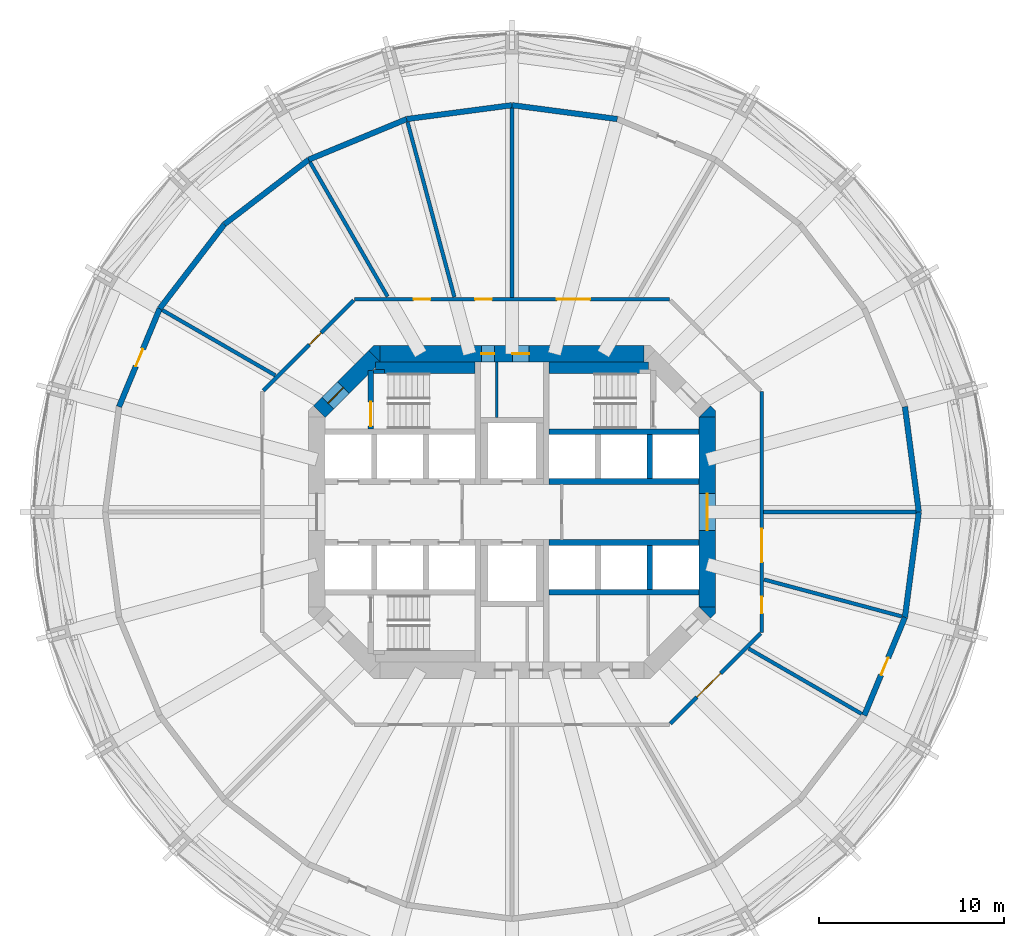
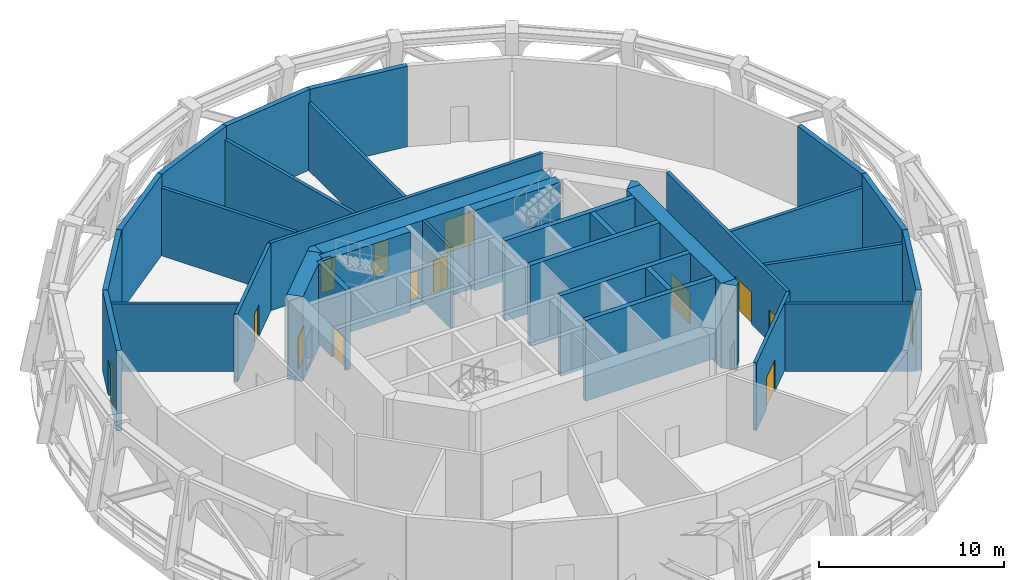
# One storey, part 5 of 9: 37 walls, 14 doors, 14 openings.
"""IFC4 building model written with IfcOpenShell, lengths in metres."""

from ifc_helpers import new_model, si_unit, direction, frame, frame_2d, origin, place, context, subcontext, project, spatial, polyline, rectangle, outline, extrude, material, layer, layer_set, type_object, element, fill, save


model = new_model("IFC4")

# Units and contexts
model_context = context("Model", 3, precision=1e-05, world=origin(), true_north=direction((0.0, 1.0)))
body_context = subcontext(model_context, "Body", "Model", "MODEL_VIEW")
ifc_project = project(units=[si_unit("LENGTHUNIT", "METRE"), si_unit("AREAUNIT", "SQUARE_METRE"), si_unit("VOLUMEUNIT", "CUBIC_METRE"), si_unit("PLANEANGLEUNIT", "RADIAN"), si_unit("MASSUNIT", "GRAM", prefix="KILO")], contexts=[model_context])

# Site, building, storey
site_placement = place(None, origin())
site = spatial("IfcSite", under=ifc_project, at=site_placement, CompositionType="ELEMENT")
building_placement = place(site_placement, origin())
building = spatial("IfcBuilding", under=site, at=building_placement, Name="Torre Triforio", CompositionType="ELEMENT")
storey_placement = place(building_placement, frame((0.0, 0.0, 110.60009765625)))
storey = spatial("IfcBuildingStorey", under=building, at=storey_placement, Name="L24", CompositionType="ELEMENT", Elevation=110.60009765625)

# Wall, openings, doors
ifc_material_1 = material(Name="Concrete C60", Category="concrete")
ifc_layer_1 = layer(ifc_material_1, 0.89990234375)
ifc_layer_set_1 = layer_set([ifc_layer_1], Name="Concrete C60")
wall_type_1 = type_object("IfcWallType", Name="Core wall 900 mm C60 EI 120", PredefinedType="SHEAR", material=ifc_layer_set_1)
wall_1_placement = place(storey_placement, frame((-7.1298828125, 8.550048828125, -0.280029296875), z_axis=(0.0, 0.0, 1.0), x_axis=(1.0, 0.0, 0.0)))
wall_1 = element("IfcWall", 1, at=wall_1_placement, inside=storey, type_object=wall_type_1, Name="Core wall", PredefinedType="SHEAR", context=body_context, shape_type="SweptSolid", body=[
    extrude(rectangle(XDim=14.259765625, YDim=0.89990234375, at=frame_2d((7.1298828125, 0.0))), origin(), (0.0, 0.0, 1.0), 5.599853515625),
])
opening_1_placement = place(wall_1_placement, frame((5.47998046875, 0.0, 0.280029296875)))
opening_1 = element("IfcOpeningElement", 2, at=opening_1_placement, cuts=wall_1, Name="Opening RISER-N", PredefinedType="OPENING", context=body_context, shape_type="SweptSolid", body=[
    extrude(rectangle(XDim=0.699951171875, YDim=2.10009765625, at=frame_2d((0.35009765625, 1.050048828125))), frame((0.0, 0.4599609375, 0.0), z_axis=(0.0, -1.0, 0.0), x_axis=(1.0, 0.0, 0.0)), (0.0, 0.0, 1.0), 0.919921875),
])
opening_2_placement = place(wall_1_placement, frame((7.155029296875, 0.0, 0.280029296875)))
opening_2 = element("IfcOpeningElement", 3, at=opening_2_placement, cuts=wall_1, Name="Opening NE-01B", PredefinedType="OPENING", context=body_context, shape_type="SweptSolid", body=[
    extrude(rectangle(XDim=0.89990234375, YDim=2.10009765625, at=frame_2d((0.449951171875, 1.050048828125))), frame((0.0, 0.4599609375, 0.0), z_axis=(0.0, -1.0, 0.0), x_axis=(1.0, 0.0, 0.0)), (0.0, 0.0, 1.0), 0.919921875),
])
ifc_material_2 = material(Name="Hollow metal fire door leaf")
door_type_1 = type_object("IfcDoorType", Name="Plant room door 900 x 2100 EI 60", OperationType="NOTDEFINED", PredefinedType="DOOR", material=ifc_material_2)
door_1_placement = place(opening_2_placement, origin())
door_1 = element("IfcDoor", 4, at=door_1_placement, inside=storey, type_object=door_type_1, Name="Core door NE-01", OperationType="SINGLE_SWING_RIGHT", OverallHeight=2.10009765625, OverallWidth=0.89990234375, PredefinedType="DOOR", context=body_context, shape_type="SweptSolid", body=[
    extrude(rectangle(XDim=0.89990234375, YDim=2.10009765625, at=frame_2d((0.449951171875, 1.050048828125))), frame((0.0, 0.02490234375, 0.0), z_axis=(0.0, -1.0, 0.0), x_axis=(1.0, 0.0, 0.0)), (0.0, 0.0, 1.0), 0.050048828125),
])
fill(opening_2, door_1)
door_type_2 = type_object("IfcDoorType", Name="Riser door 700 x 2100 EI 60", OperationType="NOTDEFINED", PredefinedType="DOOR", material=ifc_material_2)
door_2_placement = place(opening_1_placement, origin())
door_2 = element("IfcDoor", 5, at=door_2_placement, inside=storey, type_object=door_type_2, Name="Core door RISER-N", OperationType="SINGLE_SWING_LEFT", OverallHeight=2.10009765625, OverallWidth=0.699951171875, PredefinedType="DOOR", context=body_context, shape_type="SweptSolid", body=[
    extrude(rectangle(XDim=0.699951171875, YDim=2.10009765625, at=frame_2d((0.35009765625, 1.050048828125))), frame((0.0, 0.02490234375, 0.0), z_axis=(0.0, -1.0, 0.0), x_axis=(1.0, 0.0, 0.0)), (0.0, 0.0, 1.0), 0.050048828125),
])
fill(opening_1, door_2)

# Wall, opening, door
wall_2_placement = place(storey_placement, frame((10.550048828125, -5.1298828125, -0.280029296875), z_axis=(0.0, 0.0, 1.0), x_axis=(0.0, 1.0, 0.0)))
wall_2 = element("IfcWall", 6, at=wall_2_placement, inside=storey, type_object=wall_type_1, Name="Core wall", PredefinedType="SHEAR", context=body_context, shape_type="SweptSolid", body=[
    extrude(rectangle(XDim=10.259765625, YDim=0.89990234375, at=frame_2d((5.1298828125, 0.0))), origin(), (0.0, 0.0, 1.0), 5.599853515625),
])
opening_3_placement = place(wall_2_placement, frame((4.1298828125, 0.0, 0.280029296875)))
opening_3 = element("IfcOpeningElement", 7, at=opening_3_placement, cuts=wall_2, Name="Opening E-RING", PredefinedType="OPENING", context=body_context, shape_type="SweptSolid", body=[
    extrude(rectangle(XDim=2.0, YDim=2.10009765625, at=frame_2d((1.0, 1.050048828125))), frame((0.0, 0.4599609375, 0.0), z_axis=(0.0, -1.0, 0.0), x_axis=(1.0, 0.0, 0.0)), (0.0, 0.0, 1.0), 0.919921875),
])
door_type_3 = type_object("IfcDoorType", Name="Lobby door 2000 x 2100 EI 60", OperationType="DOUBLE_DOOR_SINGLE_SWING", PredefinedType="DOOR", material=ifc_material_2)
door_3_placement = place(opening_3_placement, origin())
door_3 = element("IfcDoor", 8, at=door_3_placement, inside=storey, type_object=door_type_3, Name="Core door E-RING", OperationType="DOUBLE_DOOR_SINGLE_SWING", OverallHeight=2.10009765625, OverallWidth=2.0, PredefinedType="DOOR", context=body_context, shape_type="SweptSolid", body=[
    extrude(rectangle(XDim=2.0, YDim=2.10009765625, at=frame_2d((1.0, 1.050048828125))), frame((0.0, 0.02490234375, 0.0), z_axis=(0.0, -1.0, 0.0), x_axis=(1.0, 0.0, 0.0)), (0.0, 0.0, 1.0), 0.050048828125),
])
fill(opening_3, door_3)

wall_3_placement = place(storey_placement, frame((-10.418212890625, 5.418212890625, -0.280029296875), z_axis=(0.0, 0.0, 1.0), x_axis=(0.707106781187, 0.707106781187, 0.0)))
wall_3 = element("IfcWall", 9, at=wall_3_placement, inside=storey, type_object=wall_type_1, Name="Core wall", PredefinedType="SHEAR", context=body_context, shape_type="SweptSolid", body=[
    extrude(rectangle(XDim=4.24267578125, YDim=0.89990234375, at=frame_2d((2.121337890625, 0.0))), origin(), (0.0, 0.0, 1.0), 5.599853515625),
])
opening_4_placement = place(wall_3_placement, frame((0.64990234375, 0.0, 0.280029296875)))
opening_4 = element("IfcOpeningElement", 10, at=opening_4_placement, cuts=wall_3, Name="Opening ST1-EXIT", PredefinedType="OPENING", context=body_context, shape_type="SweptSolid", body=[
    extrude(rectangle(XDim=1.199951171875, YDim=2.10009765625, at=frame_2d((0.60009765625, 1.050048828125))), frame((0.0, 0.4599609375, 0.0), z_axis=(0.0, -1.0, 0.0), x_axis=(1.0, 0.0, 0.0)), (0.0, 0.0, 1.0), 0.919921875),
])
door_type_4 = type_object("IfcDoorType", Name="Stair lobby door 1200 x 2100 EI 60", OperationType="NOTDEFINED", PredefinedType="DOOR", material=ifc_material_2)
door_4_placement = place(opening_4_placement, origin())
door_4 = element("IfcDoor", 11, at=door_4_placement, inside=storey, type_object=door_type_4, Name="Core door ST1-EXIT", OperationType="SINGLE_SWING_RIGHT", OverallHeight=2.10009765625, OverallWidth=1.199951171875, PredefinedType="DOOR", context=body_context, shape_type="SweptSolid", body=[
    extrude(rectangle(XDim=1.199951171875, YDim=2.10009765625, at=frame_2d((0.60009765625, 1.050048828125))), frame((0.0, 0.02490234375, 0.0), z_axis=(0.0, -1.0, 0.0), x_axis=(1.0, 0.0, 0.0)), (0.0, 0.0, 1.0), 0.050048828125),
])
fill(opening_4, door_4)

# Walls
wall_4_placement = place(storey_placement, frame((0.0, 0.0, -0.280029296875)))
element("IfcWall", 12, at=wall_4_placement, inside=storey, type_object=wall_type_1, Name="Core wall", PredefinedType="SHEAR", context=body_context, shape_type="SweptSolid", body=[
    extrude(outline(polyline([(11.0, -5.472900390625), (10.736328125, -5.736328125), (10.1298828125, -5.1298828125), (11.0, -5.1298828125), (11.0, -5.472900390625)])), origin(), (0.0, 0.0, 1.0), 5.599853515625),
])
wall_5_placement = place(storey_placement, frame((0.0, 0.0, -0.280029296875)))
element("IfcWall", 13, at=wall_5_placement, inside=storey, type_object=wall_type_1, Name="Core wall", PredefinedType="SHEAR", context=body_context, shape_type="SweptSolid", body=[
    extrude(outline(polyline([(11.0, 5.472900390625), (11.0, 5.1298828125), (10.1298828125, 5.1298828125), (10.736328125, 5.736328125), (11.0, 5.472900390625)])), origin(), (0.0, 0.0, 1.0), 5.599853515625),
])
wall_6_placement = place(storey_placement, frame((0.0, 0.0, -0.280029296875)))
element("IfcWall", 14, at=wall_6_placement, inside=storey, type_object=wall_type_1, Name="Core wall", PredefinedType="SHEAR", context=body_context, shape_type="SweptSolid", body=[
    extrude(outline(polyline([(-7.472900390625, 9.0), (-7.1298828125, 9.0), (-7.1298828125, 8.1298828125), (-7.736328125, 8.736328125), (-7.472900390625, 9.0)])), origin(), (0.0, 0.0, 1.0), 5.599853515625),
])
ifc_material_3 = material(Name="Aluminium louvre blades", Category="aluminium")
ifc_layer_2 = layer(ifc_material_3, 0.300048828125)
ifc_layer_set_2 = layer_set([ifc_layer_2], Name="Aluminium louvre blades")
wall_type_2 = type_object("IfcWallType", Name="Louvred enclosure wall 300", PredefinedType="STANDARD", material=ifc_layer_set_2)
for number, where, z_axis, x_axis, name in (
    (15, (22.0, 0.0, 0.0), (0.0, 0.0, 1.0), (-0.130503995834, 0.991447783331, 0.0), "Louvred enclosure L24 bay 01"),
    (16, (5.694091796875, 21.25048828125, 0.0), (0.0, 0.0, 1.0), (-0.991447783331, 0.130503995834, 0.0), "Louvred enclosure L24 bay 06"),
    (17, (0.0, 22.0, 0.0), (0.0, 0.0, 1.0), (-0.991447783331, -0.130503995834, 0.0), "Louvred enclosure L24 bay 07"),
    (18, (-5.694091796875, 21.25048828125, 0.0), (0.0, 0.0, 1.0), (-0.923866055759, -0.382715966503, 0.0), "Louvred enclosure L24 bay 08"),
    (19, (-11.0, 19.052490234375, 0.0), (0.0, 0.0, 1.0), (-0.793366142647, -0.608744744291, 0.0), "Louvred enclosure L24 bay 09"),
    (20, (-15.556396484375, 15.556396484375, 0.0), (0.0, 0.0, 1.0), (-0.608744744291, -0.793366142647, 0.0), "Louvred enclosure L24 bay 10"),
):
    element("IfcWall", number, at=place(storey_placement, frame(where, z_axis=z_axis, x_axis=x_axis)), inside=storey, type_object=wall_type_2, Name=name, PredefinedType="STANDARD", context=body_context, shape_type="SweptSolid", body=[
        extrude(rectangle(XDim=5.7431640625, YDim=0.300048828125, at=frame_2d((2.87158203125, 0.0))), origin(), (0.0, 0.0, 1.0), 5.31982421875),
    ])

# Wall, opening, door
wall_7_placement = place(storey_placement, frame((-19.052490234375, 11.0, 0.0), z_axis=(0.0, 0.0, 1.0), x_axis=(-0.382715966503, -0.923866055759, 0.0)))
wall_7 = element("IfcWall", 21, at=wall_7_placement, inside=storey, type_object=wall_type_2, Name="Louvred enclosure L24 bay 11", PredefinedType="STANDARD", context=body_context, shape_type="SweptSolid", body=[
    extrude(rectangle(XDim=5.7431640625, YDim=0.300048828125, at=frame_2d((2.87158203125, 0.0))), origin(), (0.0, 0.0, 1.0), 5.31982421875),
])
opening_5_placement = place(wall_7_placement, frame((2.37158203125, 0.0, 0.0)))
opening_5 = element("IfcOpeningElement", 22, at=opening_5_placement, cuts=wall_7, Name="Opening PL1-D11", PredefinedType="OPENING", context=body_context, shape_type="SweptSolid", body=[
    extrude(rectangle(XDim=1.0, YDim=2.39990234375, at=frame_2d((0.5, 1.199951171875))), frame((0.0, 0.159912109375, 0.0), z_axis=(0.0, -1.0, 0.0), x_axis=(1.0, 0.0, 0.0)), (0.0, 0.0, 1.0), 0.320068359375),
])
ifc_material_4 = material(Name="Galvanised hollow metal louvred door")
door_type_5 = type_object("IfcDoorType", Name="Deck service door 1000 x 2400", OperationType="NOTDEFINED", PredefinedType="DOOR", material=ifc_material_4)
door_5_placement = place(opening_5_placement, origin())
door_5 = element("IfcDoor", 23, at=door_5_placement, inside=storey, type_object=door_type_5, Name="Deck service door L24 bay 11", OperationType="SINGLE_SWING_LEFT", OverallHeight=2.39990234375, OverallWidth=1.0, PredefinedType="DOOR", context=body_context, shape_type="SweptSolid", body=[
    extrude(rectangle(XDim=1.0, YDim=2.39990234375, at=frame_2d((0.5, 1.199951171875))), frame((0.0, 0.02490234375, 0.0), z_axis=(0.0, -1.0, 0.0), x_axis=(1.0, 0.0, 0.0)), (0.0, 0.0, 1.0), 0.050048828125),
])
fill(opening_5, door_5)

wall_8_placement = place(storey_placement, frame((19.052490234375, -11.0, 0.0), z_axis=(0.0, 0.0, 1.0), x_axis=(0.382715966503, 0.923866055759, 0.0)))
wall_8 = element("IfcWall", 24, at=wall_8_placement, inside=storey, type_object=wall_type_2, Name="Louvred enclosure L24 bay 23", PredefinedType="STANDARD", context=body_context, shape_type="SweptSolid", body=[
    extrude(rectangle(XDim=5.7431640625, YDim=0.300048828125, at=frame_2d((2.87158203125, 0.0))), origin(), (0.0, 0.0, 1.0), 5.31982421875),
])
opening_6_placement = place(wall_8_placement, frame((2.37158203125, 0.0, 0.0)))
opening_6 = element("IfcOpeningElement", 25, at=opening_6_placement, cuts=wall_8, Name="Opening PL1-D23", PredefinedType="OPENING", context=body_context, shape_type="SweptSolid", body=[
    extrude(rectangle(XDim=1.0, YDim=2.39990234375, at=frame_2d((0.5, 1.199951171875))), frame((0.0, 0.159912109375, 0.0), z_axis=(0.0, -1.0, 0.0), x_axis=(1.0, 0.0, 0.0)), (0.0, 0.0, 1.0), 0.320068359375),
])
door_6_placement = place(opening_6_placement, origin())
door_6 = element("IfcDoor", 26, at=door_6_placement, inside=storey, type_object=door_type_5, Name="Deck service door L24 bay 23", OperationType="SINGLE_SWING_LEFT", OverallHeight=2.39990234375, OverallWidth=1.0, PredefinedType="DOOR", context=body_context, shape_type="SweptSolid", body=[
    extrude(rectangle(XDim=1.0, YDim=2.39990234375, at=frame_2d((0.5, 1.199951171875))), frame((0.0, 0.02490234375, 0.0), z_axis=(0.0, -1.0, 0.0), x_axis=(1.0, 0.0, 0.0)), (0.0, 0.0, 1.0), 0.050048828125),
])
fill(opening_6, door_6)

# Walls
wall_9_placement = place(storey_placement, frame((21.25048828125, -5.694091796875, 0.0), z_axis=(0.0, 0.0, 1.0), x_axis=(0.130503995834, 0.991447783331, 0.0)))
element("IfcWall", 27, at=wall_9_placement, inside=storey, type_object=wall_type_2, Name="Louvred enclosure L24 bay 24", PredefinedType="STANDARD", context=body_context, shape_type="SweptSolid", body=[
    extrude(rectangle(XDim=5.7431640625, YDim=0.300048828125, at=frame_2d((2.87158203125, 0.0))), origin(), (0.0, 0.0, 1.0), 5.31982421875),
])
ifc_material_5 = material(Name="Block and board partition")
ifc_layer_3 = layer(ifc_material_5, 0.14990234375)
ifc_layer_set_3 = layer_set([ifc_layer_3], Name="Block and board partition")
wall_type_3 = type_object("IfcWallType", Name="Partition 150 mm EI 120", PredefinedType="PARTITIONING", material=ifc_layer_set_3)
wall_10_placement = place(storey_placement, frame((-0.824951171875, 5.10009765625, 0.0), z_axis=(0.0, 0.0, 1.0), x_axis=(0.0, 1.0, 0.0)))
element("IfcWall", 28, at=wall_10_placement, inside=storey, type_object=wall_type_3, Name="Partition", PredefinedType="PARTITIONING", context=body_context, shape_type="SweptSolid", body=[
    extrude(rectangle(XDim=3.0, YDim=0.14990234375, at=frame_2d((1.5, 0.0))), origin(), (0.0, 0.0, 1.0), 5.31982421875),
])

# Wall, opening, door
ifc_material_6 = material(Name="Masonry block", Category="masonry")
ifc_layer_4 = layer(ifc_material_6, 0.199951171875)
ifc_layer_set_4 = layer_set([ifc_layer_4], Name="Masonry block")
wall_type_4 = type_object("IfcWallType", Name="Plant room wall 200 mm block EI 120", PredefinedType="PARTITIONING", material=ifc_layer_set_4)
wall_11_placement = place(storey_placement, frame((13.450439453125, -6.557861328125, 0.0), z_axis=(0.0, 0.0, 1.0), x_axis=(-0.707106781187, -0.707106781187, 0.0)))
wall_11 = element("IfcWall", 29, at=wall_11_placement, inside=storey, type_object=wall_type_4, Name="Partition 1", PredefinedType="PARTITIONING", context=body_context, shape_type="SweptSolid", body=[
    extrude(rectangle(XDim=6.919189453125, YDim=0.199951171875, at=frame_2d((3.45947265625, 0.0))), origin(), (0.0, 0.0, 1.0), 4.469970703125),
])
opening_7_placement = place(wall_11_placement, frame((3.0751953125, 0.0, 0.0)))
opening_7 = element("IfcOpeningElement", 30, at=opening_7_placement, cuts=wall_11, Name="Opening PL1-11", PredefinedType="OPENING", context=body_context, shape_type="SweptSolid", body=[
    extrude(rectangle(XDim=1.800048828125, YDim=2.10009765625, at=frame_2d((0.89990234375, 1.050048828125))), frame((0.0, 0.10986328125, 0.0), z_axis=(0.0, -1.0, 0.0), x_axis=(1.0, 0.0, 0.0)), (0.0, 0.0, 1.0), 0.219970703125),
])
door_type_6 = type_object("IfcDoorType", Name="Door 1800 x 2100 double leaf EI 60", OperationType="DOUBLE_DOOR_SINGLE_SWING", PredefinedType="DOOR", material=ifc_material_2)
door_7_placement = place(opening_7_placement, origin())
door_7 = element("IfcDoor", 31, at=door_7_placement, inside=storey, type_object=door_type_6, Name="Door PL1-11", OperationType="DOUBLE_DOOR_SINGLE_SWING", OverallHeight=2.10009765625, OverallWidth=1.800048828125, PredefinedType="DOOR", context=body_context, shape_type="SweptSolid", body=[
    extrude(rectangle(XDim=1.800048828125, YDim=2.10009765625, at=frame_2d((0.89990234375, 1.050048828125))), frame((0.0, 0.02490234375, 0.0), z_axis=(0.0, -1.0, 0.0), x_axis=(1.0, 0.0, 0.0)), (0.0, 0.0, 1.0), 0.050048828125),
])
fill(opening_7, door_7)

wall_12_placement = place(storey_placement, frame((-13.450439453125, 6.557861328125, 0.0), z_axis=(0.0, 0.0, 1.0), x_axis=(0.707106781187, 0.707106781187, 0.0)))
wall_12 = element("IfcWall", 32, at=wall_12_placement, inside=storey, type_object=wall_type_4, Name="Partition 5", PredefinedType="PARTITIONING", context=body_context, shape_type="SweptSolid", body=[
    extrude(rectangle(XDim=6.919189453125, YDim=0.199951171875, at=frame_2d((3.45947265625, 0.0))), origin(), (0.0, 0.0, 1.0), 4.469970703125),
])
opening_8_placement = place(wall_12_placement, frame((3.525146484375, 0.0, 0.0)))
opening_8 = element("IfcOpeningElement", 33, at=opening_8_placement, cuts=wall_12, Name="Opening PL1-05", PredefinedType="OPENING", context=body_context, shape_type="SweptSolid", body=[
    extrude(rectangle(XDim=0.89990234375, YDim=2.10009765625, at=frame_2d((0.449951171875, 1.050048828125))), frame((0.0, 0.10986328125, 0.0), z_axis=(0.0, -1.0, 0.0), x_axis=(1.0, 0.0, 0.0)), (0.0, 0.0, 1.0), 0.219970703125),
])
door_type_7 = type_object("IfcDoorType", Name="Door 900 x 2100 single leaf EI 60", OperationType="NOTDEFINED", PredefinedType="DOOR", material=ifc_material_2)
door_8_placement = place(opening_8_placement, origin())
door_8 = element("IfcDoor", 34, at=door_8_placement, inside=storey, type_object=door_type_7, Name="Door PL1-05", OperationType="SINGLE_SWING_LEFT", OverallHeight=2.10009765625, OverallWidth=0.89990234375, PredefinedType="DOOR", context=body_context, shape_type="SweptSolid", body=[
    extrude(rectangle(XDim=0.89990234375, YDim=2.10009765625, at=frame_2d((0.449951171875, 1.050048828125))), frame((0.0, 0.02490234375, 0.0), z_axis=(0.0, -1.0, 0.0), x_axis=(1.0, 0.0, 0.0)), (0.0, 0.0, 1.0), 0.050048828125),
])
fill(opening_8, door_8)

# Wall, openings, doors
wall_13_placement = place(storey_placement, frame((-8.50830078125, 11.5, 0.0), z_axis=(0.0, 0.0, 1.0), x_axis=(1.0, 0.0, 0.0)))
wall_13 = element("IfcWall", 35, at=wall_13_placement, inside=storey, type_object=wall_type_4, Name="Partition 6", PredefinedType="PARTITIONING", context=body_context, shape_type="SweptSolid", body=[
    extrude(rectangle(XDim=17.0166015625, YDim=0.199951171875, at=frame_2d((8.50830078125, 0.0))), origin(), (0.0, 0.0, 1.0), 4.469970703125),
])
opening_9_placement = place(wall_13_placement, frame((10.931884765625, 0.0, 0.0)))
opening_9 = element("IfcOpeningElement", 36, at=opening_9_placement, cuts=wall_13, Name="Opening PL1-02", PredefinedType="OPENING", context=body_context, shape_type="SweptSolid", body=[
    extrude(rectangle(XDim=1.800048828125, YDim=2.10009765625, at=frame_2d((0.89990234375, 1.050048828125))), frame((0.0, 0.10986328125, 0.0), z_axis=(0.0, -1.0, 0.0), x_axis=(1.0, 0.0, 0.0)), (0.0, 0.0, 1.0), 0.219970703125),
])
opening_10_placement = place(wall_13_placement, frame((6.5166015625, 0.0, 0.0)))
opening_10 = element("IfcOpeningElement", 37, at=opening_10_placement, cuts=wall_13, Name="Opening PL1-03", PredefinedType="OPENING", context=body_context, shape_type="SweptSolid", body=[
    extrude(rectangle(XDim=0.89990234375, YDim=2.10009765625, at=frame_2d((0.449951171875, 1.050048828125))), frame((0.0, 0.10986328125, 0.0), z_axis=(0.0, -1.0, 0.0), x_axis=(1.0, 0.0, 0.0)), (0.0, 0.0, 1.0), 0.219970703125),
])
opening_11_placement = place(wall_13_placement, frame((3.194091796875, 0.0, 0.0)))
opening_11 = element("IfcOpeningElement", 38, at=opening_11_placement, cuts=wall_13, Name="Opening PL1-04", PredefinedType="OPENING", context=body_context, shape_type="SweptSolid", body=[
    extrude(rectangle(XDim=0.89990234375, YDim=2.10009765625, at=frame_2d((0.449951171875, 1.050048828125))), frame((0.0, 0.10986328125, 0.0), z_axis=(0.0, -1.0, 0.0), x_axis=(1.0, 0.0, 0.0)), (0.0, 0.0, 1.0), 0.219970703125),
])
door_9_placement = place(opening_9_placement, origin())
door_9 = element("IfcDoor", 39, at=door_9_placement, inside=storey, type_object=door_type_6, Name="Door PL1-02", OperationType="DOUBLE_DOOR_SINGLE_SWING", OverallHeight=2.10009765625, OverallWidth=1.800048828125, PredefinedType="DOOR", context=body_context, shape_type="SweptSolid", body=[
    extrude(rectangle(XDim=1.800048828125, YDim=2.10009765625, at=frame_2d((0.89990234375, 1.050048828125))), frame((0.0, 0.02490234375, 0.0), z_axis=(0.0, -1.0, 0.0), x_axis=(1.0, 0.0, 0.0)), (0.0, 0.0, 1.0), 0.050048828125),
])
fill(opening_9, door_9)
door_10_placement = place(opening_10_placement, origin())
door_10 = element("IfcDoor", 40, at=door_10_placement, inside=storey, type_object=door_type_7, Name="Door PL1-03", OperationType="SINGLE_SWING_LEFT", OverallHeight=2.10009765625, OverallWidth=0.89990234375, PredefinedType="DOOR", context=body_context, shape_type="SweptSolid", body=[
    extrude(rectangle(XDim=0.89990234375, YDim=2.10009765625, at=frame_2d((0.449951171875, 1.050048828125))), frame((0.0, 0.02490234375, 0.0), z_axis=(0.0, -1.0, 0.0), x_axis=(1.0, 0.0, 0.0)), (0.0, 0.0, 1.0), 0.050048828125),
])
fill(opening_10, door_10)
door_11_placement = place(opening_11_placement, origin())
door_11 = element("IfcDoor", 41, at=door_11_placement, inside=storey, type_object=door_type_7, Name="Door PL1-04", OperationType="SINGLE_SWING_LEFT", OverallHeight=2.10009765625, OverallWidth=0.89990234375, PredefinedType="DOOR", context=body_context, shape_type="SweptSolid", body=[
    extrude(rectangle(XDim=0.89990234375, YDim=2.10009765625, at=frame_2d((0.449951171875, 1.050048828125))), frame((0.0, 0.02490234375, 0.0), z_axis=(0.0, -1.0, 0.0), x_axis=(1.0, 0.0, 0.0)), (0.0, 0.0, 1.0), 0.050048828125),
])
fill(opening_11, door_11)

wall_14_placement = place(storey_placement, frame((13.5, 6.50830078125, 0.0), z_axis=(0.0, 0.0, 1.0), x_axis=(0.0, -1.0, 0.0)))
wall_14 = element("IfcWall", 42, at=wall_14_placement, inside=storey, type_object=wall_type_4, Name="Partition 8", PredefinedType="PARTITIONING", context=body_context, shape_type="SweptSolid", body=[
    extrude(rectangle(XDim=13.0166015625, YDim=0.199951171875, at=frame_2d((6.50830078125, 0.0))), origin(), (0.0, 0.0, 1.0), 4.469970703125),
])
opening_12_placement = place(wall_14_placement, frame((11.09619140625, 0.0, 0.0)))
opening_12 = element("IfcOpeningElement", 43, at=opening_12_placement, cuts=wall_14, Name="Opening PL1-12", PredefinedType="OPENING", context=body_context, shape_type="SweptSolid", body=[
    extrude(rectangle(XDim=0.89990234375, YDim=2.10009765625, at=frame_2d((0.449951171875, 1.050048828125))), frame((0.0, 0.10986328125, 0.0), z_axis=(0.0, -1.0, 0.0), x_axis=(1.0, 0.0, 0.0)), (0.0, 0.0, 1.0), 0.219970703125),
])
opening_13_placement = place(wall_14_placement, frame((7.41796875, 0.0, 0.0)))
opening_13 = element("IfcOpeningElement", 44, at=opening_13_placement, cuts=wall_14, Name="Opening PL1-13", PredefinedType="OPENING", context=body_context, shape_type="SweptSolid", body=[
    extrude(rectangle(XDim=1.800048828125, YDim=2.10009765625, at=frame_2d((0.89990234375, 1.050048828125))), frame((0.0, 0.10986328125, 0.0), z_axis=(0.0, -1.0, 0.0), x_axis=(1.0, 0.0, 0.0)), (0.0, 0.0, 1.0), 0.219970703125),
])
door_12_placement = place(opening_13_placement, origin())
door_12 = element("IfcDoor", 45, at=door_12_placement, inside=storey, type_object=door_type_6, Name="Door PL1-13", OperationType="DOUBLE_DOOR_SINGLE_SWING", OverallHeight=2.10009765625, OverallWidth=1.800048828125, PredefinedType="DOOR", context=body_context, shape_type="SweptSolid", body=[
    extrude(rectangle(XDim=1.800048828125, YDim=2.10009765625, at=frame_2d((0.89990234375, 1.050048828125))), frame((0.0, 0.02490234375, 0.0), z_axis=(0.0, -1.0, 0.0), x_axis=(1.0, 0.0, 0.0)), (0.0, 0.0, 1.0), 0.050048828125),
])
fill(opening_13, door_12)
door_13_placement = place(opening_12_placement, origin())
door_13 = element("IfcDoor", 46, at=door_13_placement, inside=storey, type_object=door_type_7, Name="Door PL1-12", OperationType="SINGLE_SWING_LEFT", OverallHeight=2.10009765625, OverallWidth=0.89990234375, PredefinedType="DOOR", context=body_context, shape_type="SweptSolid", body=[
    extrude(rectangle(XDim=0.89990234375, YDim=2.10009765625, at=frame_2d((0.449951171875, 1.050048828125))), frame((0.0, 0.02490234375, 0.0), z_axis=(0.0, -1.0, 0.0), x_axis=(1.0, 0.0, 0.0)), (0.0, 0.0, 1.0), 0.050048828125),
])
fill(opening_12, door_13)

# Walls
wall_15_placement = place(storey_placement, frame((13.60009765625, 0.0, 0.0), z_axis=(0.0, 0.0, 1.0), x_axis=(1.0, 0.0, 0.0)))
element("IfcWall", 47, at=wall_15_placement, inside=storey, type_object=wall_type_4, Name="Partition 9", PredefinedType="PARTITIONING", context=body_context, shape_type="SweptSolid", body=[
    extrude(rectangle(XDim=8.236572265625, YDim=0.199951171875, at=frame_2d((4.1181640625, 0.0))), origin(), (0.0, 0.0, 1.0), 4.469970703125),
])
wall_16_placement = place(storey_placement, frame((0.0, 11.60009765625, 0.0), z_axis=(0.0, 0.0, 1.0), x_axis=(0.0, 1.0, 0.0)))
element("IfcWall", 48, at=wall_16_placement, inside=storey, type_object=wall_type_4, Name="Partition 11", PredefinedType="PARTITIONING", context=body_context, shape_type="SweptSolid", body=[
    extrude(rectangle(XDim=10.236572265625, YDim=0.199951171875, at=frame_2d((5.1181640625, 0.0))), origin(), (0.0, 0.0, 1.0), 4.469970703125),
])
wall_17_placement = place(storey_placement, frame((-3.114990234375, 11.62548828125, 0.0), z_axis=(0.0, 0.0, 1.0), x_axis=(-0.258836107803, 0.965921254191, 0.0)))
element("IfcWall", 49, at=wall_17_placement, inside=storey, type_object=wall_type_4, Name="Partition 12", PredefinedType="PARTITIONING", context=body_context, shape_type="SweptSolid", body=[
    extrude(rectangle(XDim=9.801025390625, YDim=0.199951171875, at=frame_2d((4.900390625, 0.0))), origin(), (0.0, 0.0, 1.0), 4.469970703125),
])
wall_18_placement = place(storey_placement, frame((-6.725830078125, 11.6494140625, 0.0), z_axis=(0.0, 0.0, 1.0), x_axis=(-0.500006411147, 0.866021702275, 0.0)))
element("IfcWall", 50, at=wall_18_placement, inside=storey, type_object=wall_type_4, Name="Partition 13", PredefinedType="PARTITIONING", context=body_context, shape_type="SweptSolid", body=[
    extrude(rectangle(XDim=8.38525390625, YDim=0.199951171875, at=frame_2d((4.192626953125, 0.0))), origin(), (0.0, 0.0, 1.0), 4.469970703125),
])
for number, where, z_axis, x_axis, name in (
    (51, (-12.79736328125, 7.388671875, 0.0), (0.0, 0.0, 1.0), (-0.866025485263, 0.499999858875, 0.0), "Partition 14"),
    (52, (12.79736328125, -7.388671875, 0.0), (0.0, 0.0, 1.0), (0.866025485263, -0.499999858875, 0.0), "Partition 20"),
):
    element("IfcWall", number, at=place(storey_placement, frame(where, z_axis=z_axis, x_axis=x_axis)), inside=storey, type_object=wall_type_4, Name=name, PredefinedType="PARTITIONING", context=body_context, shape_type="SweptSolid", body=[
        extrude(rectangle(XDim=7.0595703125, YDim=0.199951171875, at=frame_2d((3.52978515625, 0.0))), origin(), (0.0, 0.0, 1.0), 4.469970703125),
    ])
wall_19_placement = place(storey_placement, frame((13.62548828125, -3.65087890625, 0.0), z_axis=(0.0, 0.0, 1.0), x_axis=(0.965919715401, -0.258841850169, 0.0)))
element("IfcWall", 53, at=wall_19_placement, inside=storey, type_object=wall_type_4, Name="Partition 21", PredefinedType="PARTITIONING", context=body_context, shape_type="SweptSolid", body=[
    extrude(rectangle(XDim=7.73046875, YDim=0.199951171875, at=frame_2d((3.865234375, 0.0))), origin(), (0.0, 0.0, 1.0), 4.469970703125),
])
ifc_layer_5 = layer(ifc_material_1, 0.300048828125)
ifc_layer_set_5 = layer_set([ifc_layer_5], Name="Concrete C60")
wall_type_5 = type_object("IfcWallType", Name="Shaft wall 300 mm C60 EI 120", PredefinedType="SOLIDWALL", material=ifc_layer_set_5)
for number, where, z_axis, x_axis, name in (
    (54, (2.0, 4.35009765625, 0.0), (0.0, 0.0, 1.0), (1.0, 0.0, 0.0), "Shaft wall"),
    (55, (2.0, -4.35009765625, 0.0), (0.0, 0.0, 1.0), (1.0, 0.0, 0.0), "Shaft wall"),
    (56, (2.0, 1.64990234375, 0.0), (0.0, 0.0, 1.0), (1.0, 0.0, 0.0), "Shaft wall"),
    (57, (2.0, -1.64990234375, 0.0), (0.0, 0.0, 1.0), (1.0, 0.0, 0.0), "Shaft wall"),
):
    element("IfcWall", number, at=place(storey_placement, frame(where, z_axis=z_axis, x_axis=x_axis)), inside=storey, type_object=wall_type_5, Name=name, PredefinedType="SOLIDWALL", context=body_context, shape_type="SweptSolid", body=[
        extrude(rectangle(XDim=8.10009765625, YDim=0.300048828125, at=frame_2d((4.050048828125, 0.0))), origin(), (0.0, 0.0, 1.0), 5.31982421875),
    ])
for number, where, z_axis, x_axis, name in (
    (58, (7.449951171875, 1.800048828125, 0.0), (0.0, 0.0, 1.0), (0.0, 1.0, 0.0), "Shaft wall"),
    (59, (7.449951171875, -4.199951171875, 0.0), (0.0, 0.0, 1.0), (0.0, 1.0, 0.0), "Shaft wall"),
):
    element("IfcWall", number, at=place(storey_placement, frame(where, z_axis=z_axis, x_axis=x_axis)), inside=storey, type_object=wall_type_5, Name=name, PredefinedType="SOLIDWALL", context=body_context, shape_type="SweptSolid", body=[
        extrude(rectangle(XDim=2.39990234375, YDim=0.300048828125, at=frame_2d((1.199951171875, 0.0))), origin(), (0.0, 0.0, 1.0), 5.31982421875),
    ])
ifc_layer_6 = layer(ifc_material_1, 0.199951171875)
ifc_layer_set_6 = layer_set([ifc_layer_6], Name="Concrete C60")
wall_type_6 = type_object("IfcWallType", Name="Stair wall 200 mm C60 EI 120", PredefinedType="SHEAR", material=ifc_layer_set_6)
wall_20_placement = place(storey_placement, frame((-7.5, 7.60009765625, 0.0), z_axis=(0.0, 0.0, 1.0), x_axis=(1.0, 0.0, 0.0)))
element("IfcWall", 60, at=wall_20_placement, inside=storey, type_object=wall_type_6, Name="Stair wall", PredefinedType="SHEAR", context=body_context, shape_type="SweptSolid", body=[
    extrude(rectangle(XDim=0.60009765625, YDim=0.199951171875, at=frame_2d((0.300048828125, 0.0))), origin(), (0.0, 0.0, 1.0), 5.31982421875),
])

# Wall, opening, door
ifc_layer_7 = layer(ifc_material_1, 0.300048828125)
ifc_layer_set_7 = layer_set([ifc_layer_7], Name="Concrete C60")
wall_type_7 = type_object("IfcWallType", Name="Stair wall 300 mm C60 EI 120", PredefinedType="SHEAR", material=ifc_layer_set_7)
wall_21_placement = place(storey_placement, frame((-7.64990234375, 4.5, 0.0), z_axis=(0.0, 0.0, 1.0), x_axis=(0.0, 1.0, 0.0)))
wall_21 = element("IfcWall", 61, at=wall_21_placement, inside=storey, type_object=wall_type_7, Name="Stair wall", PredefinedType="SHEAR", context=body_context, shape_type="SweptSolid", body=[
    extrude(rectangle(XDim=3.139892578125, YDim=0.300048828125, at=frame_2d((1.56982421875, 0.0))), origin(), (0.0, 0.0, 1.0), 5.31982421875),
])
opening_14_placement = place(wall_21_placement, frame((0.139892578125, 0.0, 0.0)))
opening_14 = element("IfcOpeningElement", 62, at=opening_14_placement, cuts=wall_21, Name="Opening ST1-STA", PredefinedType="OPENING", context=body_context, shape_type="SweptSolid", body=[
    extrude(rectangle(XDim=1.320068359375, YDim=2.10009765625, at=frame_2d((0.66015625, 1.050048828125))), frame((0.0, 0.159912109375, 0.0), z_axis=(0.0, -1.0, 0.0), x_axis=(1.0, 0.0, 0.0)), (0.0, 0.0, 1.0), 0.320068359375),
])
door_type_8 = type_object("IfcDoorType", Name="Stair door 1320 x 2100 EI 90", OperationType="DOUBLE_DOOR_SINGLE_SWING", PredefinedType="DOOR", material=ifc_material_2)
door_14_placement = place(opening_14_placement, origin())
door_14 = element("IfcDoor", 63, at=door_14_placement, inside=storey, type_object=door_type_8, Name="Core door ST1-ST", OperationType="DOUBLE_DOOR_SINGLE_SWING", OverallHeight=2.10009765625, OverallWidth=1.320068359375, PredefinedType="DOOR", context=body_context, shape_type="SweptSolid", body=[
    extrude(rectangle(XDim=1.320068359375, YDim=2.10009765625, at=frame_2d((0.66015625, 1.050048828125))), frame((0.0, 0.02490234375, 0.0), z_axis=(0.0, -1.0, 0.0), x_axis=(1.0, 0.0, 0.0)), (0.0, 0.0, 1.0), 0.050048828125),
])
fill(opening_14, door_14)

# Walls
ifc_layer_8 = layer(ifc_material_1, 0.60009765625)
ifc_layer_set_8 = layer_set([ifc_layer_8], Name="Concrete C60")
wall_type_8 = type_object("IfcWallType", Name="Stair wall 600 mm C60 EI 120", PredefinedType="SHEAR", material=ifc_layer_set_8)
for number, where, z_axis, x_axis, name in (
    (64, (-7.3701171875, 7.800048828125, 0.0), (0.0, 0.0, 1.0), (1.0, 0.0, 0.0), "Stair wall"),
    (65, (2.0, 7.800048828125, 0.0), (0.0, 0.0, 1.0), (1.0, 0.0, 0.0), "Stair wall"),
):
    element("IfcWall", number, at=place(storey_placement, frame(where, z_axis=z_axis, x_axis=x_axis)), inside=storey, type_object=wall_type_8, Name=name, PredefinedType="SHEAR", context=body_context, shape_type="SweptSolid", body=[
        extrude(rectangle(XDim=5.3701171875, YDim=0.60009765625, at=frame_2d((2.68505859375, 0.0))), origin(), (0.0, 0.0, 1.0), 5.31982421875),
    ])

save(model, "model.ifc")
